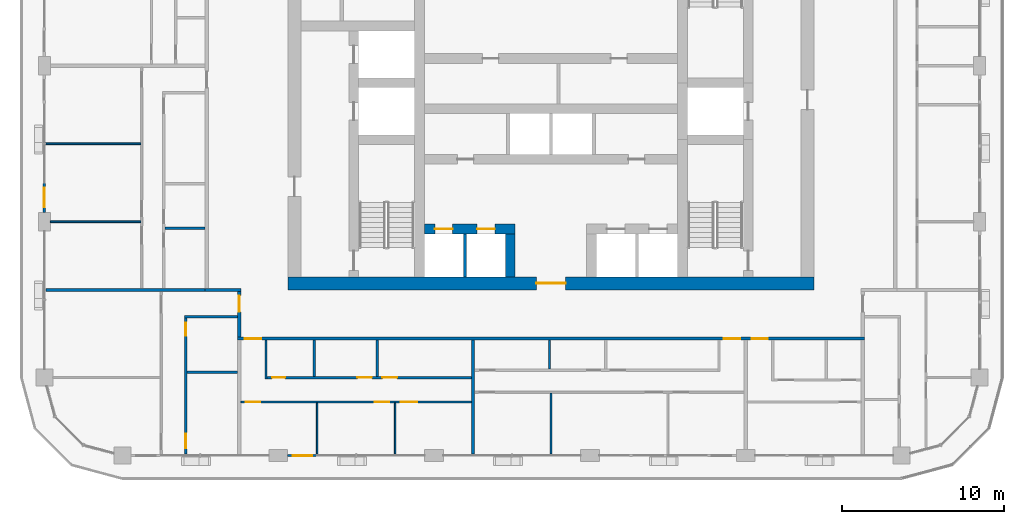
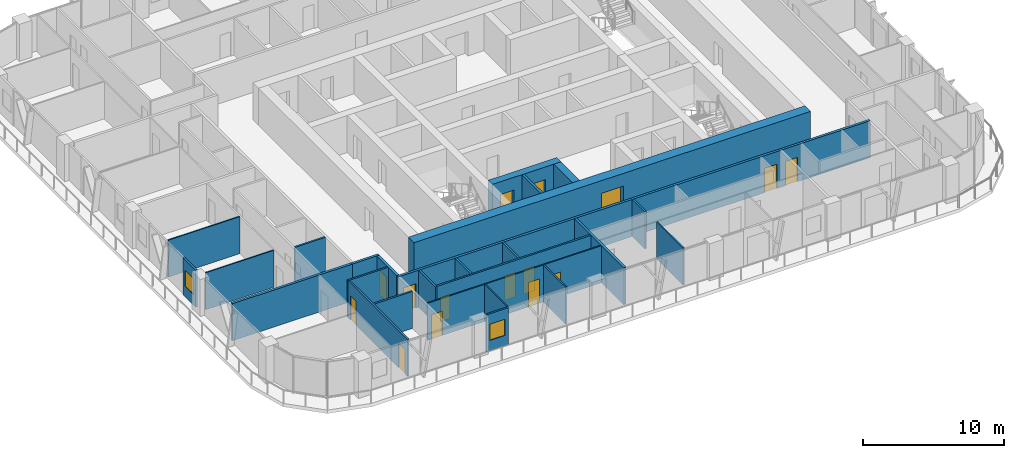
# One storey, part 9 of 22: 26 walls, 15 doors, 2 windows, 17 openings.
"""IFC4 building model written with IfcOpenShell, lengths in metres."""

from ifc_helpers import new_model, si_unit, direction, frame, frame_2d, origin, place, context, subcontext, project, spatial, rectangle, extrude, material, layer, layer_set, type_object, element, fill, save


model = new_model("IFC4")

# Units and contexts
model_context = context("Model", 3, precision=1e-05, world=origin(), true_north=direction((0.0, 1.0)))
body_context = subcontext(model_context, "Body", "Model", "MODEL_VIEW")
ifc_project = project(units=[si_unit("LENGTHUNIT", "METRE"), si_unit("AREAUNIT", "SQUARE_METRE"), si_unit("VOLUMEUNIT", "CUBIC_METRE"), si_unit("PLANEANGLEUNIT", "RADIAN"), si_unit("MASSUNIT", "GRAM", prefix="KILO")], contexts=[model_context])

# Site, building, storey
site_placement = place(None, origin())
site = spatial("IfcSite", under=ifc_project, at=site_placement, CompositionType="ELEMENT")
building_placement = place(site_placement, origin())
building = spatial("IfcBuilding", under=site, at=building_placement, Name="Madar Terraces", CompositionType="ELEMENT")
storey_placement = place(building_placement, frame((0.0, 0.0, 119.10009765625)))
storey = spatial("IfcBuildingStorey", under=building, at=storey_placement, Name="L30", CompositionType="ELEMENT", Elevation=119.10009765625)

# Wall, openings, doors
ifc_material_1 = material(Name="Concrete C70/85", Category="concrete")
ifc_layer_1 = layer(ifc_material_1, 0.60009765625)
ifc_layer_set_1 = layer_set([ifc_layer_1], Name="Concrete C70/85 (CIW3 RC wall 600)")
wall_type_1 = type_object("IfcWallType", Name="CIW3 RC wall 600", PredefinedType="SHEAR", material=ifc_layer_set_1)
wall_1_placement = place(storey_placement, frame((23.39990234375, 18.75, 0.0), z_axis=(0.0, 0.0, 1.0), x_axis=(1.0, 0.0, 0.0)))
wall_1 = element("IfcWall", 1, at=wall_1_placement, inside=storey, type_object=wall_type_1, Name="CORE SHAFT WALL", PredefinedType="SHEAR", context=body_context, shape_type="SweptSolid", body=[
    extrude(rectangle(XDim=5.60009765625, YDim=0.60009765625, at=frame_2d((2.800048828125, 0.0))), origin(), (0.0, 0.0, 1.0), 3.199951171875),
])
opening_1_placement = place(wall_1_placement, frame((0.64990234375, 0.0, 0.0)))
opening_1 = element("IfcOpeningElement", 2, at=opening_1_placement, cuts=wall_1, Name="Opening LD", PredefinedType="OPENING", context=body_context, shape_type="SweptSolid", body=[
    extrude(rectangle(XDim=1.10009765625, YDim=2.10009765625, at=frame_2d((0.550048828125, 1.050048828125))), frame((0.0, 0.31005859375, 0.0), z_axis=(0.0, -1.0, 0.0), x_axis=(1.0, 0.0, 0.0)), (0.0, 0.0, 1.0), 0.6201171875),
])
opening_2_placement = place(wall_1_placement, frame((3.25, 0.0, 0.0)))
opening_2 = element("IfcOpeningElement", 3, at=opening_2_placement, cuts=wall_1, Name="Opening LD", PredefinedType="OPENING", context=body_context, shape_type="SweptSolid", body=[
    extrude(rectangle(XDim=1.10009765625, YDim=2.10009765625, at=frame_2d((0.550048828125, 1.050048828125))), frame((0.0, 0.31005859375, 0.0), z_axis=(0.0, -1.0, 0.0), x_axis=(1.0, 0.0, 0.0)), (0.0, 0.0, 1.0), 0.6201171875),
])
ifc_material_2 = material(Name="Stainless steel panel", Category="steel")
door_type_1 = type_object("IfcDoorType", Name="Lift landing door 1100 x 2100", OperationType="DOUBLE_DOOR_SLIDING", PredefinedType="DOOR", material=ifc_material_2)
door_1_placement = place(opening_1_placement, origin())
door_1 = element("IfcDoor", 4, at=door_1_placement, inside=storey, type_object=door_type_1, Name="LIFT LANDING DOOR", OperationType="DOUBLE_DOOR_SLIDING", OverallHeight=2.10009765625, OverallWidth=1.10009765625, PredefinedType="DOOR", context=body_context, shape_type="SweptSolid", body=[
    extrude(rectangle(XDim=1.10009765625, YDim=2.10009765625, at=frame_2d((0.550048828125, 1.050048828125))), frame((0.0, 0.02490234375, 0.0), z_axis=(0.0, -1.0, 0.0), x_axis=(1.0, 0.0, 0.0)), (0.0, 0.0, 1.0), 0.050048828125),
])
fill(opening_1, door_1)
door_2_placement = place(opening_2_placement, origin())
door_2 = element("IfcDoor", 5, at=door_2_placement, inside=storey, type_object=door_type_1, Name="LIFT LANDING DOOR", OperationType="DOUBLE_DOOR_SLIDING", OverallHeight=2.10009765625, OverallWidth=1.10009765625, PredefinedType="DOOR", context=body_context, shape_type="SweptSolid", body=[
    extrude(rectangle(XDim=1.10009765625, YDim=2.10009765625, at=frame_2d((0.550048828125, 1.050048828125))), frame((0.0, 0.02490234375, 0.0), z_axis=(0.0, -1.0, 0.0), x_axis=(1.0, 0.0, 0.0)), (0.0, 0.0, 1.0), 0.050048828125),
])
fill(opening_2, door_2)

# Wall
wall_2_placement = place(storey_placement, frame((28.699951171875, 15.800048828125, 0.0), z_axis=(0.0, 0.0, 1.0), x_axis=(0.0, 1.0, 0.0)))
element("IfcWall", 6, at=wall_2_placement, inside=storey, type_object=wall_type_1, Name="CORE SHAFT WALL", PredefinedType="SHEAR", context=body_context, shape_type="SweptSolid", body=[
    extrude(rectangle(XDim=2.64990234375, YDim=0.60009765625, at=frame_2d((1.324951171875, 0.0))), origin(), (0.0, 0.0, 1.0), 3.199951171875),
])

# Wall, opening, door
ifc_material_3 = material(Name="Concrete C70/85", Category="concrete")
ifc_layer_2 = layer(ifc_material_3, 0.800048828125)
ifc_layer_set_2 = layer_set([ifc_layer_2], Name="Concrete C70/85 (CRW3 RC wall 800)")
wall_type_2 = type_object("IfcWallType", Name="CRW3 RC wall 800", PredefinedType="SHEAR", material=ifc_layer_set_2)
wall_3_placement = place(storey_placement, frame((15.0, 15.39990234375, 0.0), z_axis=(0.0, 0.0, 1.0), x_axis=(1.0, 0.0, 0.0)))
wall_3 = element("IfcWall", 7, at=wall_3_placement, inside=storey, type_object=wall_type_2, Name="CORE OUTER WALL", PredefinedType="SHEAR", context=body_context, shape_type="SweptSolid", body=[
    extrude(rectangle(XDim=32.39990234375, YDim=0.800048828125, at=frame_2d((16.199951171875, 0.0))), origin(), (0.0, 0.0, 1.0), 3.199951171875),
])
opening_3_placement = place(wall_3_placement, frame((15.300048828125, 0.0, 0.0)))
opening_3 = element("IfcOpeningElement", 8, at=opening_3_placement, cuts=wall_3, Name="Opening KD1", PredefinedType="OPENING", context=body_context, shape_type="SweptSolid", body=[
    extrude(rectangle(XDim=1.800048828125, YDim=2.10009765625, at=frame_2d((0.89990234375, 1.050048828125))), frame((0.0, 0.409912109375, 0.0), z_axis=(0.0, -1.0, 0.0), x_axis=(1.0, 0.0, 0.0)), (0.0, 0.0, 1.0), 0.820068359375),
])
ifc_material_4 = material(Name="Steel door leaf", Category="steel")
door_type_2 = type_object("IfcDoorType", Name="Lobby door pair 1800 x 2100", OperationType="DOUBLE_DOOR_SINGLE_SWING", PredefinedType="DOOR", material=ifc_material_4)
door_3_placement = place(opening_3_placement, frame((1.800048828125, 0.0, 0.0), z_axis=(0.0, 0.0, 1.0), x_axis=(-1.0, 0.0, 0.0)))
door_3 = element("IfcDoor", 9, at=door_3_placement, inside=storey, type_object=door_type_2, Name="LIFT LOBBY DOOR", OperationType="DOUBLE_DOOR_SINGLE_SWING", OverallHeight=2.10009765625, OverallWidth=1.800048828125, PredefinedType="DOOR", context=body_context, shape_type="SweptSolid", body=[
    extrude(rectangle(XDim=1.800048828125, YDim=2.10009765625, at=frame_2d((0.89990234375, 1.050048828125))), frame((0.0, 0.02490234375, 0.0), z_axis=(0.0, -1.0, 0.0), x_axis=(1.0, 0.0, 0.0)), (0.0, 0.0, 1.0), 0.050048828125),
])
fill(opening_3, door_3)

# Wall
ifc_material_5 = material(Name="Concrete C40/50", Category="concrete")
ifc_layer_3 = layer(ifc_material_5, 0.199951171875)
ifc_layer_set_3 = layer_set([ifc_layer_3], Name="Core shaft dividing wall 200 C40/50")
wall_type_3 = type_object("IfcWallType", Name="Core shaft dividing wall 200 C40/50", PredefinedType="SOLIDWALL", material=ifc_layer_set_3)
wall_4_placement = place(storey_placement, frame((25.89990234375, 15.800048828125, 0.0), z_axis=(0.0, 0.0, 1.0), x_axis=(0.0, 1.0, 0.0)))
element("IfcWall", 10, at=wall_4_placement, inside=storey, type_object=wall_type_3, Name="SHAFT DIVIDING WALL", PredefinedType="SOLIDWALL", context=body_context, shape_type="SweptSolid", body=[
    extrude(rectangle(XDim=2.64990234375, YDim=0.199951171875, at=frame_2d((1.324951171875, 0.0))), origin(), (0.0, 0.0, 1.0), 3.199951171875),
])

# Wall, opening, window
ifc_material_6 = material(Name="Aluminium composite panel, black, over insulated backing", Category="aluminium")
ifc_layer_4 = layer(ifc_material_6, 0.14990234375)
ifc_layer_set_4 = layer_set([ifc_layer_4], Name="Facade bay panel 150")
wall_type_4 = type_object("IfcWallType", Name="Facade bay panel 150", PredefinedType="SOLIDWALL", material=ifc_layer_set_4)
wall_5_placement = place(storey_placement, frame((14.97509765625, 4.800048828125, 0.0), z_axis=(0.0, 0.0, 1.0), x_axis=(1.0, 0.0, 0.0)))
wall_5 = element("IfcWall", 11, at=wall_5_placement, inside=storey, type_object=wall_type_4, Name="Facade bay panel", PredefinedType="SOLIDWALL", context=body_context, shape_type="SweptSolid", body=[
    extrude(rectangle(XDim=1.824951171875, YDim=0.14990234375, at=frame_2d((0.91259765625, 0.0))), origin(), (0.0, 0.0, 1.0), 3.199951171875),
])
opening_4_placement = place(wall_5_placement, frame((0.3125, 0.0, 0.89990234375)))
opening_4 = element("IfcOpeningElement", 12, at=opening_4_placement, cuts=wall_5, Name="Opening W1", PredefinedType="OPENING", context=body_context, shape_type="SweptSolid", body=[
    extrude(rectangle(XDim=1.199951171875, YDim=1.39990234375, at=frame_2d((0.60009765625, 0.699951171875))), frame((0.0, 0.0849609375, 0.0), z_axis=(0.0, -1.0, 0.0), x_axis=(1.0, 0.0, 0.0)), (0.0, 0.0, 1.0), 0.169921875),
])
ifc_material_7 = material(Name="Glass, clear, with black aluminium frame", Category="aluminium")
window_type = type_object("IfcWindowType", Name="Vent window 1200 x 1400", PartitioningType="SINGLE_PANEL", PredefinedType="WINDOW", material=ifc_material_7)
window_1_placement = place(opening_4_placement, origin())
window_1 = element("IfcWindow", 13, at=window_1_placement, inside=storey, type_object=window_type, Name="Operable vent window", OverallHeight=1.39990234375, OverallWidth=1.199951171875, PartitioningType="SINGLE_PANEL", PredefinedType="WINDOW", context=body_context, shape_type="SweptSolid", body=[
    extrude(rectangle(XDim=1.199951171875, YDim=1.39990234375, at=frame_2d((0.60009765625, 0.699951171875))), frame((0.0, 0.030029296875, 0.0), z_axis=(0.0, -1.0, 0.0), x_axis=(1.0, 0.0, 0.0)), (0.0, 0.0, 1.0), 0.06005859375),
])
fill(opening_4, window_1)

wall_6_placement = place(storey_placement, frame((0.0, 21.60009765625, 0.0), z_axis=(0.0, 0.0, 1.0), x_axis=(0.0, -1.0, 0.0)))
wall_6 = element("IfcWall", 14, at=wall_6_placement, inside=storey, type_object=wall_type_4, Name="Facade bay panel", PredefinedType="SOLIDWALL", context=body_context, shape_type="SweptSolid", body=[
    extrude(rectangle(XDim=1.8251953125, YDim=0.14990234375, at=frame_2d((0.91259765625, 0.0))), origin(), (0.0, 0.0, 1.0), 3.199951171875),
])
opening_5_placement = place(wall_6_placement, frame((0.3125, 0.0, 0.89990234375)))
opening_5 = element("IfcOpeningElement", 15, at=opening_5_placement, cuts=wall_6, Name="Opening W1", PredefinedType="OPENING", context=body_context, shape_type="SweptSolid", body=[
    extrude(rectangle(XDim=1.199951171875, YDim=1.39990234375, at=frame_2d((0.60009765625, 0.699951171875))), frame((0.0, 0.0849609375, 0.0), z_axis=(0.0, -1.0, 0.0), x_axis=(1.0, 0.0, 0.0)), (0.0, 0.0, 1.0), 0.169921875),
])
window_2_placement = place(opening_5_placement, origin())
window_2 = element("IfcWindow", 16, at=window_2_placement, inside=storey, type_object=window_type, Name="Operable vent window", OverallHeight=1.39990234375, OverallWidth=1.199951171875, PartitioningType="SINGLE_PANEL", PredefinedType="WINDOW", context=body_context, shape_type="SweptSolid", body=[
    extrude(rectangle(XDim=1.199951171875, YDim=1.39990234375, at=frame_2d((0.60009765625, 0.699951171875))), frame((0.0, 0.030029296875, 0.0), z_axis=(0.0, -1.0, 0.0), x_axis=(1.0, 0.0, 0.0)), (0.0, 0.0, 1.0), 0.06005859375),
])
fill(opening_5, window_2)

# Walls
ifc_material_8 = material(Name="Gypsum board on steel studs", Category="steel")
ifc_layer_5 = layer(ifc_material_8, 0.10009765625)
ifc_layer_set_5 = layer_set([ifc_layer_5], Name="Flat partition 100")
wall_type_5 = type_object("IfcWallType", Name="Flat partition 100", PredefinedType="PARTITIONING", material=ifc_layer_set_5)
for number, where, z_axis, x_axis, name in (
    (17, (16.800048828125, 8.050048828125, 0.0), (0.0, 0.0, 1.0), (0.0, -1.0, 0.0), "Flat partition 100"),
    (18, (21.60009765625, 8.050048828125, 0.0), (0.0, 0.0, 1.0), (0.0, -1.0, 0.0), "Flat partition 100"),
):
    element("IfcWall", number, at=place(storey_placement, frame(where, z_axis=z_axis, x_axis=x_axis)), inside=storey, type_object=wall_type_5, Name=name, PredefinedType="PARTITIONING", context=body_context, shape_type="SweptSolid", body=[
        extrude(rectangle(XDim=3.150146484375, YDim=0.10009765625, at=frame_2d((1.5751953125, 0.0))), origin(), (0.0, 0.0, 1.0), 3.199951171875),
    ])

# Wall, openings, doors
wall_7_placement = place(storey_placement, frame((26.300048828125, 8.10009765625, 0.0), z_axis=(0.0, 0.0, 1.0), x_axis=(-1.0, 0.0, 0.0)))
wall_7 = element("IfcWall", 19, at=wall_7_placement, inside=storey, type_object=wall_type_5, Name="Flat partition 100", PredefinedType="PARTITIONING", context=body_context, shape_type="SweptSolid", body=[
    extrude(rectangle(XDim=14.199951171875, YDim=0.10009765625, at=frame_2d((7.10009765625, 0.0))), origin(), (0.0, 0.0, 1.0), 3.199951171875),
])
opening_6_placement = place(wall_7_placement, frame((13.0, 0.0, 0.0)))
opening_6 = element("IfcOpeningElement", 20, at=opening_6_placement, cuts=wall_7, Name="Opening D2", PredefinedType="OPENING", context=body_context, shape_type="SweptSolid", body=[
    extrude(rectangle(XDim=0.89990234375, YDim=2.10009765625, at=frame_2d((0.449951171875, 1.050048828125))), frame((0.0, 0.06005859375, 0.0), z_axis=(0.0, -1.0, 0.0), x_axis=(1.0, 0.0, 0.0)), (0.0, 0.0, 1.0), 0.1201171875),
])
opening_7_placement = place(wall_7_placement, frame((5.050048828125, 0.0, 0.0)))
opening_7 = element("IfcOpeningElement", 21, at=opening_7_placement, cuts=wall_7, Name="Opening D2", PredefinedType="OPENING", context=body_context, shape_type="SweptSolid", body=[
    extrude(rectangle(XDim=0.89990234375, YDim=2.10009765625, at=frame_2d((0.449951171875, 1.050048828125))), frame((0.0, 0.06005859375, 0.0), z_axis=(0.0, -1.0, 0.0), x_axis=(1.0, 0.0, 0.0)), (0.0, 0.0, 1.0), 0.1201171875),
])
opening_8_placement = place(wall_7_placement, frame((3.35009765625, 0.0, 0.0)))
opening_8 = element("IfcOpeningElement", 22, at=opening_8_placement, cuts=wall_7, Name="Opening D3", PredefinedType="OPENING", context=body_context, shape_type="SweptSolid", body=[
    extrude(rectangle(XDim=1.0, YDim=2.10009765625, at=frame_2d((0.5, 1.050048828125))), frame((0.0, 0.06005859375, 0.0), z_axis=(0.0, -1.0, 0.0), x_axis=(1.0, 0.0, 0.0)), (0.0, 0.0, 1.0), 0.1201171875),
])
ifc_material_9 = material(Name="Timber door leaf", Category="wood")
door_type_3 = type_object("IfcDoorType", Name="Flat living room door 1000", OperationType="NOTDEFINED", PredefinedType="DOOR", material=ifc_material_9)
door_4_placement = place(opening_8_placement, origin())
door_4 = element("IfcDoor", 23, at=door_4_placement, inside=storey, type_object=door_type_3, Name="Flat living room door 1000", OperationType="SINGLE_SWING_RIGHT", OverallHeight=2.10009765625, OverallWidth=1.0, PredefinedType="DOOR", context=body_context, shape_type="SweptSolid", body=[
    extrude(rectangle(XDim=1.0, YDim=2.10009765625, at=frame_2d((0.5, 1.050048828125))), frame((0.0, 0.02490234375, 0.0), z_axis=(0.0, -1.0, 0.0), x_axis=(1.0, 0.0, 0.0)), (0.0, 0.0, 1.0), 0.050048828125),
])
fill(opening_8, door_4)
ifc_material_10 = material(Name="Timber door leaf", Category="wood")
door_type_4 = type_object("IfcDoorType", Name="Flat room door 900", OperationType="NOTDEFINED", PredefinedType="DOOR", material=ifc_material_10)
door_5_placement = place(opening_6_placement, origin())
door_5 = element("IfcDoor", 24, at=door_5_placement, inside=storey, type_object=door_type_4, Name="Flat room door 900", OperationType="SINGLE_SWING_RIGHT", OverallHeight=2.10009765625, OverallWidth=0.89990234375, PredefinedType="DOOR", context=body_context, shape_type="SweptSolid", body=[
    extrude(rectangle(XDim=0.89990234375, YDim=2.10009765625, at=frame_2d((0.449951171875, 1.050048828125))), frame((0.0, 0.02490234375, 0.0), z_axis=(0.0, -1.0, 0.0), x_axis=(1.0, 0.0, 0.0)), (0.0, 0.0, 1.0), 0.050048828125),
])
fill(opening_6, door_5)
door_6_placement = place(opening_7_placement, origin())
door_6 = element("IfcDoor", 25, at=door_6_placement, inside=storey, type_object=door_type_4, Name="Flat room door 900", OperationType="SINGLE_SWING_LEFT", OverallHeight=2.10009765625, OverallWidth=0.89990234375, PredefinedType="DOOR", context=body_context, shape_type="SweptSolid", body=[
    extrude(rectangle(XDim=0.89990234375, YDim=2.10009765625, at=frame_2d((0.449951171875, 1.050048828125))), frame((0.0, 0.02490234375, 0.0), z_axis=(0.0, -1.0, 0.0), x_axis=(1.0, 0.0, 0.0)), (0.0, 0.0, 1.0), 0.050048828125),
])
fill(opening_7, door_6)

# Walls
wall_8_placement = place(storey_placement, frame((31.199951171875, 8.64990234375, 0.0), z_axis=(0.0, 0.0, 1.0), x_axis=(0.0, -1.0, 0.0)))
element("IfcWall", 26, at=wall_8_placement, inside=storey, type_object=wall_type_5, Name="Flat partition 100", PredefinedType="PARTITIONING", context=body_context, shape_type="SweptSolid", body=[
    extrude(rectangle(XDim=3.75, YDim=0.10009765625, at=frame_2d((1.875, 0.0))), origin(), (0.0, 0.0, 1.0), 3.199951171875),
])
wall_9_placement = place(storey_placement, frame((5.949951171875, 24.0, 0.0), z_axis=(0.0, 0.0, 1.0), x_axis=(-1.0, 0.0, 0.0)))
element("IfcWall", 27, at=wall_9_placement, inside=storey, type_object=wall_type_5, Name="Flat partition 100", PredefinedType="PARTITIONING", context=body_context, shape_type="SweptSolid", body=[
    extrude(rectangle(XDim=5.849853515625, YDim=0.10009765625, at=frame_2d((2.9248046875, 0.0))), origin(), (0.0, 0.0, 1.0), 3.199951171875),
])
wall_10_placement = place(storey_placement, frame((5.949951171875, 19.199951171875, 0.0), z_axis=(0.0, 0.0, 1.0), x_axis=(-1.0, 0.0, 0.0)))
element("IfcWall", 28, at=wall_10_placement, inside=storey, type_object=wall_type_5, Name="Flat partition 100", PredefinedType="PARTITIONING", context=body_context, shape_type="SweptSolid", body=[
    extrude(rectangle(XDim=5.574951171875, YDim=0.10009765625, at=frame_2d((2.78759765625, 0.0))), origin(), (0.0, 0.0, 1.0), 3.199951171875),
])

# Wall, openings, doors
ifc_material_11 = material(Name="Lightweight blockwork", Category="masonry")
ifc_layer_6 = layer(ifc_material_11, 0.199951171875)
ifc_layer_set_6 = layer_set([ifc_layer_6], Name="Flat party and entrance wall 200")
wall_type_6 = type_object("IfcWallType", Name="Flat party and entrance wall 200", PredefinedType="PARTITIONING", material=ifc_layer_set_6)
wall_11_placement = place(storey_placement, frame((50.5, 12.0, 0.0), z_axis=(0.0, 0.0, 1.0), x_axis=(-1.0, 0.0, 0.0)))
wall_11 = element("IfcWall", 29, at=wall_11_placement, inside=storey, type_object=wall_type_6, Name="Flat party and entrance wall 200", PredefinedType="PARTITIONING", context=body_context, shape_type="SweptSolid", body=[
    extrude(rectangle(XDim=38.60009765625, YDim=0.199951171875, at=frame_2d((19.300048828125, 0.0))), origin(), (0.0, 0.0, 1.0), 3.199951171875),
])
opening_9_placement = place(wall_11_placement, frame((37.14990234375, 0.0, 0.0)))
opening_9 = element("IfcOpeningElement", 30, at=opening_9_placement, cuts=wall_11, Name="Opening D1", PredefinedType="OPENING", context=body_context, shape_type="SweptSolid", body=[
    extrude(rectangle(XDim=1.0, YDim=2.10009765625, at=frame_2d((0.5, 1.050048828125))), frame((0.0, 0.10986328125, 0.0), z_axis=(0.0, -1.0, 0.0), x_axis=(1.0, 0.0, 0.0)), (0.0, 0.0, 1.0), 0.219970703125),
])
opening_10_placement = place(wall_11_placement, frame((7.64990234375, 0.0, 0.0)))
opening_10 = element("IfcOpeningElement", 31, at=opening_10_placement, cuts=wall_11, Name="Opening D1", PredefinedType="OPENING", context=body_context, shape_type="SweptSolid", body=[
    extrude(rectangle(XDim=1.0, YDim=2.10009765625, at=frame_2d((0.5, 1.050048828125))), frame((0.0, 0.10986328125, 0.0), z_axis=(0.0, -1.0, 0.0), x_axis=(1.0, 0.0, 0.0)), (0.0, 0.0, 1.0), 0.219970703125),
])
opening_11_placement = place(wall_11_placement, frame((5.949951171875, 0.0, 0.0)))
opening_11 = element("IfcOpeningElement", 32, at=opening_11_placement, cuts=wall_11, Name="Opening D1", PredefinedType="OPENING", context=body_context, shape_type="SweptSolid", body=[
    extrude(rectangle(XDim=1.0, YDim=2.10009765625, at=frame_2d((0.5, 1.050048828125))), frame((0.0, 0.10986328125, 0.0), z_axis=(0.0, -1.0, 0.0), x_axis=(1.0, 0.0, 0.0)), (0.0, 0.0, 1.0), 0.219970703125),
])
ifc_material_12 = material(Name="Timber fire door leaf", Category="wood")
door_type_5 = type_object("IfcDoorType", Name="Flat entrance door 1000 FD30S", OperationType="NOTDEFINED", PredefinedType="DOOR", material=ifc_material_12)
door_7_placement = place(opening_9_placement, origin())
door_7 = element("IfcDoor", 33, at=door_7_placement, inside=storey, type_object=door_type_5, Name="Flat entrance door 1000 FD30S", OperationType="SINGLE_SWING_RIGHT", OverallHeight=2.10009765625, OverallWidth=1.0, PredefinedType="DOOR", context=body_context, shape_type="SweptSolid", body=[
    extrude(rectangle(XDim=1.0, YDim=2.10009765625, at=frame_2d((0.5, 1.050048828125))), frame((0.0, 0.02490234375, 0.0), z_axis=(0.0, -1.0, 0.0), x_axis=(1.0, 0.0, 0.0)), (0.0, 0.0, 1.0), 0.050048828125),
])
fill(opening_9, door_7)
door_8_placement = place(opening_10_placement, origin())
door_8 = element("IfcDoor", 34, at=door_8_placement, inside=storey, type_object=door_type_5, Name="Flat entrance door 1000 FD30S", OperationType="SINGLE_SWING_LEFT", OverallHeight=2.10009765625, OverallWidth=1.0, PredefinedType="DOOR", context=body_context, shape_type="SweptSolid", body=[
    extrude(rectangle(XDim=1.0, YDim=2.10009765625, at=frame_2d((0.5, 1.050048828125))), frame((0.0, 0.02490234375, 0.0), z_axis=(0.0, -1.0, 0.0), x_axis=(1.0, 0.0, 0.0)), (0.0, 0.0, 1.0), 0.050048828125),
])
fill(opening_10, door_8)
door_9_placement = place(opening_11_placement, origin())
door_9 = element("IfcDoor", 35, at=door_9_placement, inside=storey, type_object=door_type_5, Name="Flat entrance door 1000 FD30S", OperationType="SINGLE_SWING_RIGHT", OverallHeight=2.10009765625, OverallWidth=1.0, PredefinedType="DOOR", context=body_context, shape_type="SweptSolid", body=[
    extrude(rectangle(XDim=1.0, YDim=2.10009765625, at=frame_2d((0.5, 1.050048828125))), frame((0.0, 0.02490234375, 0.0), z_axis=(0.0, -1.0, 0.0), x_axis=(1.0, 0.0, 0.0)), (0.0, 0.0, 1.0), 0.050048828125),
])
fill(opening_11, door_9)

# Wall
wall_12_placement = place(storey_placement, frame((9.89990234375, 15.0, 0.0), z_axis=(0.0, 0.0, 1.0), x_axis=(1.0, 0.0, 0.0)))
element("IfcWall", 36, at=wall_12_placement, inside=storey, type_object=wall_type_6, Name="Flat party and entrance wall 200", PredefinedType="PARTITIONING", context=body_context, shape_type="SweptSolid", body=[
    extrude(rectangle(XDim=2.2001953125, YDim=0.199951171875, at=frame_2d((1.10009765625, 0.0))), origin(), (0.0, 0.0, 1.0), 3.199951171875),
])

# Wall, opening, door
wall_13_placement = place(storey_placement, frame((12.0, 12.10009765625, 0.0), z_axis=(0.0, 0.0, 1.0), x_axis=(0.0, 1.0, 0.0)))
wall_13 = element("IfcWall", 37, at=wall_13_placement, inside=storey, type_object=wall_type_6, Name="Flat party and entrance wall 200", PredefinedType="PARTITIONING", context=body_context, shape_type="SweptSolid", body=[
    extrude(rectangle(XDim=2.7998046875, YDim=0.199951171875, at=frame_2d((1.39990234375, 0.0))), origin(), (0.0, 0.0, 1.0), 3.199951171875),
])
opening_12_placement = place(wall_13_placement, frame((1.550048828125, 0.0, 0.0)))
opening_12 = element("IfcOpeningElement", 38, at=opening_12_placement, cuts=wall_13, Name="Opening D1", PredefinedType="OPENING", context=body_context, shape_type="SweptSolid", body=[
    extrude(rectangle(XDim=1.0, YDim=2.10009765625, at=frame_2d((0.5, 1.050048828125))), frame((0.0, 0.10986328125, 0.0), z_axis=(0.0, -1.0, 0.0), x_axis=(1.0, 0.0, 0.0)), (0.0, 0.0, 1.0), 0.219970703125),
])
door_10_placement = place(opening_12_placement, origin())
door_10 = element("IfcDoor", 39, at=door_10_placement, inside=storey, type_object=door_type_5, Name="Flat entrance door 1000 FD30S", OperationType="SINGLE_SWING_RIGHT", OverallHeight=2.10009765625, OverallWidth=1.0, PredefinedType="DOOR", context=body_context, shape_type="SweptSolid", body=[
    extrude(rectangle(XDim=1.0, YDim=2.10009765625, at=frame_2d((0.5, 1.050048828125))), frame((0.0, 0.02490234375, 0.0), z_axis=(0.0, -1.0, 0.0), x_axis=(1.0, 0.0, 0.0)), (0.0, 0.0, 1.0), 0.050048828125),
])
fill(opening_12, door_10)

# Walls
wall_14_placement = place(storey_placement, frame((26.39990234375, 11.89990234375, 0.0), z_axis=(0.0, 0.0, 1.0), x_axis=(0.0, -1.0, 0.0)))
element("IfcWall", 40, at=wall_14_placement, inside=storey, type_object=wall_type_6, Name="Flat party and entrance wall 200", PredefinedType="PARTITIONING", context=body_context, shape_type="SweptSolid", body=[
    extrude(rectangle(XDim=7.0, YDim=0.199951171875, at=frame_2d((3.5, 0.0))), origin(), (0.0, 0.0, 1.0), 3.199951171875),
])
wall_15_placement = place(storey_placement, frame((0.10009765625, 15.0, 0.0), z_axis=(0.0, 0.0, 1.0), x_axis=(1.0, 0.0, 0.0)))
element("IfcWall", 41, at=wall_15_placement, inside=storey, type_object=wall_type_6, Name="Flat party and entrance wall 200", PredefinedType="PARTITIONING", context=body_context, shape_type="SweptSolid", body=[
    extrude(rectangle(XDim=9.7998046875, YDim=0.199951171875, at=frame_2d((4.89990234375, 0.0))), origin(), (0.0, 0.0, 1.0), 3.199951171875),
])
ifc_material_13 = material(Name="Lightweight blockwork", Category="masonry")
ifc_layer_7 = layer(ifc_material_13, 0.14990234375)
ifc_layer_set_7 = layer_set([ifc_layer_7], Name="Flat wet-room partition 150")
wall_type_7 = type_object("IfcWallType", Name="Flat wet-room partition 150", PredefinedType="PARTITIONING", material=ifc_layer_set_7)
for number, where, z_axis, x_axis, name in (
    (42, (16.626953125, 11.89990234375, 0.0), (0.0, 0.0, 1.0), (0.0, -1.0, 0.0), "Flat wet-room partition 150"),
    (43, (20.49609375, 11.89990234375, 0.0), (0.0, 0.0, 1.0), (0.0, -1.0, 0.0), "Flat wet-room partition 150"),
):
    element("IfcWall", number, at=place(storey_placement, frame(where, z_axis=z_axis, x_axis=x_axis)), inside=storey, type_object=wall_type_7, Name=name, PredefinedType="PARTITIONING", context=body_context, shape_type="SweptSolid", body=[
        extrude(rectangle(XDim=2.224853515625, YDim=0.14990234375, at=frame_2d((1.1123046875, 0.0))), origin(), (0.0, 0.0, 1.0), 3.199951171875),
    ])
wall_16_placement = place(storey_placement, frame((13.64990234375, 11.89990234375, 0.0), z_axis=(0.0, 0.0, 1.0), x_axis=(0.0, -1.0, 0.0)))
element("IfcWall", 44, at=wall_16_placement, inside=storey, type_object=wall_type_7, Name="Flat wet-room partition 150", PredefinedType="PARTITIONING", context=body_context, shape_type="SweptSolid", body=[
    extrude(rectangle(XDim=2.375, YDim=0.14990234375, at=frame_2d((1.1875, 0.0))), origin(), (0.0, 0.0, 1.0), 3.199951171875),
])

# Wall, openings, doors
wall_17_placement = place(storey_placement, frame((13.72509765625, 9.60009765625, 0.0), z_axis=(0.0, 0.0, 1.0), x_axis=(1.0, 0.0, 0.0)))
wall_17 = element("IfcWall", 45, at=wall_17_placement, inside=storey, type_object=wall_type_7, Name="Flat wet-room partition 150", PredefinedType="PARTITIONING", context=body_context, shape_type="SweptSolid", body=[
    extrude(rectangle(XDim=12.574951171875, YDim=0.14990234375, at=frame_2d((6.28759765625, 0.0))), origin(), (0.0, 0.0, 1.0), 3.199951171875),
])
opening_13_placement = place(wall_17_placement, frame((0.300048828125, 0.0, 0.0)))
opening_13 = element("IfcOpeningElement", 46, at=opening_13_placement, cuts=wall_17, Name="Opening D4", PredefinedType="OPENING", context=body_context, shape_type="SweptSolid", body=[
    extrude(rectangle(XDim=0.800048828125, YDim=2.10009765625, at=frame_2d((0.39990234375, 1.050048828125))), frame((0.0, 0.0849609375, 0.0), z_axis=(0.0, -1.0, 0.0), x_axis=(1.0, 0.0, 0.0)), (0.0, 0.0, 1.0), 0.169921875),
])
opening_14_placement = place(wall_17_placement, frame((5.546142578125, 0.0, 0.0)))
opening_14 = element("IfcOpeningElement", 47, at=opening_14_placement, cuts=wall_17, Name="Opening D5", PredefinedType="OPENING", context=body_context, shape_type="SweptSolid", body=[
    extrude(rectangle(XDim=0.89990234375, YDim=2.10009765625, at=frame_2d((0.449951171875, 1.050048828125))), frame((0.0, 0.0849609375, 0.0), z_axis=(0.0, -1.0, 0.0), x_axis=(1.0, 0.0, 0.0)), (0.0, 0.0, 1.0), 0.169921875),
])
opening_15_placement = place(wall_17_placement, frame((7.09619140625, 0.0, 0.0)))
opening_15 = element("IfcOpeningElement", 48, at=opening_15_placement, cuts=wall_17, Name="Opening D2", PredefinedType="OPENING", context=body_context, shape_type="SweptSolid", body=[
    extrude(rectangle(XDim=0.89990234375, YDim=2.10009765625, at=frame_2d((0.449951171875, 1.050048828125))), frame((0.0, 0.0849609375, 0.0), z_axis=(0.0, -1.0, 0.0), x_axis=(1.0, 0.0, 0.0)), (0.0, 0.0, 1.0), 0.169921875),
])
ifc_material_14 = material(Name="Timber door leaf", Category="wood")
door_type_6 = type_object("IfcDoorType", Name="Flat accessible bathroom door 900", OperationType="NOTDEFINED", PredefinedType="DOOR", material=ifc_material_14)
door_11_placement = place(opening_14_placement, origin())
door_11 = element("IfcDoor", 49, at=door_11_placement, inside=storey, type_object=door_type_6, Name="Flat accessible bathroom door 900", OperationType="SINGLE_SWING_RIGHT", OverallHeight=2.10009765625, OverallWidth=0.89990234375, PredefinedType="DOOR", context=body_context, shape_type="SweptSolid", body=[
    extrude(rectangle(XDim=0.89990234375, YDim=2.10009765625, at=frame_2d((0.449951171875, 1.050048828125))), frame((0.0, 0.02490234375, 0.0), z_axis=(0.0, -1.0, 0.0), x_axis=(1.0, 0.0, 0.0)), (0.0, 0.0, 1.0), 0.050048828125),
])
fill(opening_14, door_11)
ifc_material_15 = material(Name="Timber door leaf", Category="wood")
door_type_7 = type_object("IfcDoorType", Name="Flat bathroom door 800", OperationType="NOTDEFINED", PredefinedType="DOOR", material=ifc_material_15)
door_12_placement = place(opening_13_placement, origin())
door_12 = element("IfcDoor", 50, at=door_12_placement, inside=storey, type_object=door_type_7, Name="Flat bathroom door 800", OperationType="SINGLE_SWING_LEFT", OverallHeight=2.10009765625, OverallWidth=0.800048828125, PredefinedType="DOOR", context=body_context, shape_type="SweptSolid", body=[
    extrude(rectangle(XDim=0.800048828125, YDim=2.10009765625, at=frame_2d((0.39990234375, 1.050048828125))), frame((0.0, 0.02490234375, 0.0), z_axis=(0.0, -1.0, 0.0), x_axis=(1.0, 0.0, 0.0)), (0.0, 0.0, 1.0), 0.050048828125),
])
fill(opening_13, door_12)
door_13_placement = place(opening_15_placement, origin())
door_13 = element("IfcDoor", 51, at=door_13_placement, inside=storey, type_object=door_type_4, Name="Flat room door 900", OperationType="SINGLE_SWING_LEFT", OverallHeight=2.10009765625, OverallWidth=0.89990234375, PredefinedType="DOOR", context=body_context, shape_type="SweptSolid", body=[
    extrude(rectangle(XDim=0.89990234375, YDim=2.10009765625, at=frame_2d((0.449951171875, 1.050048828125))), frame((0.0, 0.02490234375, 0.0), z_axis=(0.0, -1.0, 0.0), x_axis=(1.0, 0.0, 0.0)), (0.0, 0.0, 1.0), 0.050048828125),
])
fill(opening_15, door_13)

# Walls
wall_18_placement = place(storey_placement, frame((31.107666015625, 11.89990234375, 0.0), z_axis=(0.0, 0.0, 1.0), x_axis=(0.0, -1.0, 0.0)))
element("IfcWall", 52, at=wall_18_placement, inside=storey, type_object=wall_type_7, Name="Flat wet-room partition 150", PredefinedType="PARTITIONING", context=body_context, shape_type="SweptSolid", body=[
    extrude(rectangle(XDim=1.77490234375, YDim=0.14990234375, at=frame_2d((0.887451171875, 0.0))), origin(), (0.0, 0.0, 1.0), 3.199951171875),
])
wall_19_placement = place(storey_placement, frame((9.89990234375, 18.78466796875, 0.0), z_axis=(0.0, 0.0, 1.0), x_axis=(-1.0, 0.0, 0.0)))
element("IfcWall", 53, at=wall_19_placement, inside=storey, type_object=wall_type_7, Name="Flat wet-room partition 150", PredefinedType="PARTITIONING", context=body_context, shape_type="SweptSolid", body=[
    extrude(rectangle(XDim=2.474853515625, YDim=0.14990234375, at=frame_2d((1.2373046875, 0.0))), origin(), (0.0, 0.0, 1.0), 3.199951171875),
])
wall_20_placement = place(storey_placement, frame((11.89990234375, 9.925048828125, 0.0), z_axis=(0.0, 0.0, 1.0), x_axis=(-1.0, 0.0, 0.0)))
element("IfcWall", 54, at=wall_20_placement, inside=storey, type_object=wall_type_7, Name="Flat wet-room partition 150", PredefinedType="PARTITIONING", context=body_context, shape_type="SweptSolid", body=[
    extrude(rectangle(XDim=3.125, YDim=0.14990234375, at=frame_2d((1.5625, 0.0))), origin(), (0.0, 0.0, 1.0), 3.199951171875),
])
wall_21_placement = place(storey_placement, frame((11.89990234375, 13.35009765625, 0.0), z_axis=(0.0, 0.0, 1.0), x_axis=(-1.0, 0.0, 0.0)))
element("IfcWall", 55, at=wall_21_placement, inside=storey, type_object=wall_type_7, Name="Flat wet-room partition 150", PredefinedType="PARTITIONING", context=body_context, shape_type="SweptSolid", body=[
    extrude(rectangle(XDim=3.27490234375, YDim=0.14990234375, at=frame_2d((1.637451171875, 0.0))), origin(), (0.0, 0.0, 1.0), 3.199951171875),
])

# Wall, openings, doors
wall_22_placement = place(storey_placement, frame((8.699951171875, 13.27490234375, 0.0), z_axis=(0.0, 0.0, 1.0), x_axis=(0.0, -1.0, 0.0)))
wall_22 = element("IfcWall", 56, at=wall_22_placement, inside=storey, type_object=wall_type_7, Name="Flat wet-room partition 150", PredefinedType="PARTITIONING", context=body_context, shape_type="SweptSolid", body=[
    extrude(rectangle(XDim=8.375, YDim=0.14990234375, at=frame_2d((4.1875, 0.0))), origin(), (0.0, 0.0, 1.0), 3.199951171875),
])
opening_16_placement = place(wall_22_placement, frame((0.300048828125, 0.0, 0.0)))
opening_16 = element("IfcOpeningElement", 57, at=opening_16_placement, cuts=wall_22, Name="Opening D4", PredefinedType="OPENING", context=body_context, shape_type="SweptSolid", body=[
    extrude(rectangle(XDim=0.800048828125, YDim=2.10009765625, at=frame_2d((0.39990234375, 1.050048828125))), frame((0.0, 0.0849609375, 0.0), z_axis=(0.0, -1.0, 0.0), x_axis=(1.0, 0.0, 0.0)), (0.0, 0.0, 1.0), 0.169921875),
])
opening_17_placement = place(wall_22_placement, frame((7.125, 0.0, 0.0)))
opening_17 = element("IfcOpeningElement", 58, at=opening_17_placement, cuts=wall_22, Name="Opening D2", PredefinedType="OPENING", context=body_context, shape_type="SweptSolid", body=[
    extrude(rectangle(XDim=0.89990234375, YDim=2.10009765625, at=frame_2d((0.449951171875, 1.050048828125))), frame((0.0, 0.0849609375, 0.0), z_axis=(0.0, -1.0, 0.0), x_axis=(1.0, 0.0, 0.0)), (0.0, 0.0, 1.0), 0.169921875),
])
door_14_placement = place(opening_16_placement, origin())
door_14 = element("IfcDoor", 59, at=door_14_placement, inside=storey, type_object=door_type_7, Name="Flat bathroom door 800", OperationType="SINGLE_SWING_LEFT", OverallHeight=2.10009765625, OverallWidth=0.800048828125, PredefinedType="DOOR", context=body_context, shape_type="SweptSolid", body=[
    extrude(rectangle(XDim=0.800048828125, YDim=2.10009765625, at=frame_2d((0.39990234375, 1.050048828125))), frame((0.0, 0.02490234375, 0.0), z_axis=(0.0, -1.0, 0.0), x_axis=(1.0, 0.0, 0.0)), (0.0, 0.0, 1.0), 0.050048828125),
])
fill(opening_16, door_14)
door_15_placement = place(opening_17_placement, origin())
door_15 = element("IfcDoor", 60, at=door_15_placement, inside=storey, type_object=door_type_4, Name="Flat room door 900", OperationType="SINGLE_SWING_RIGHT", OverallHeight=2.10009765625, OverallWidth=0.89990234375, PredefinedType="DOOR", context=body_context, shape_type="SweptSolid", body=[
    extrude(rectangle(XDim=0.89990234375, YDim=2.10009765625, at=frame_2d((0.449951171875, 1.050048828125))), frame((0.0, 0.02490234375, 0.0), z_axis=(0.0, -1.0, 0.0), x_axis=(1.0, 0.0, 0.0)), (0.0, 0.0, 1.0), 0.050048828125),
])
fill(opening_17, door_15)

save(model, "model.ifc")
